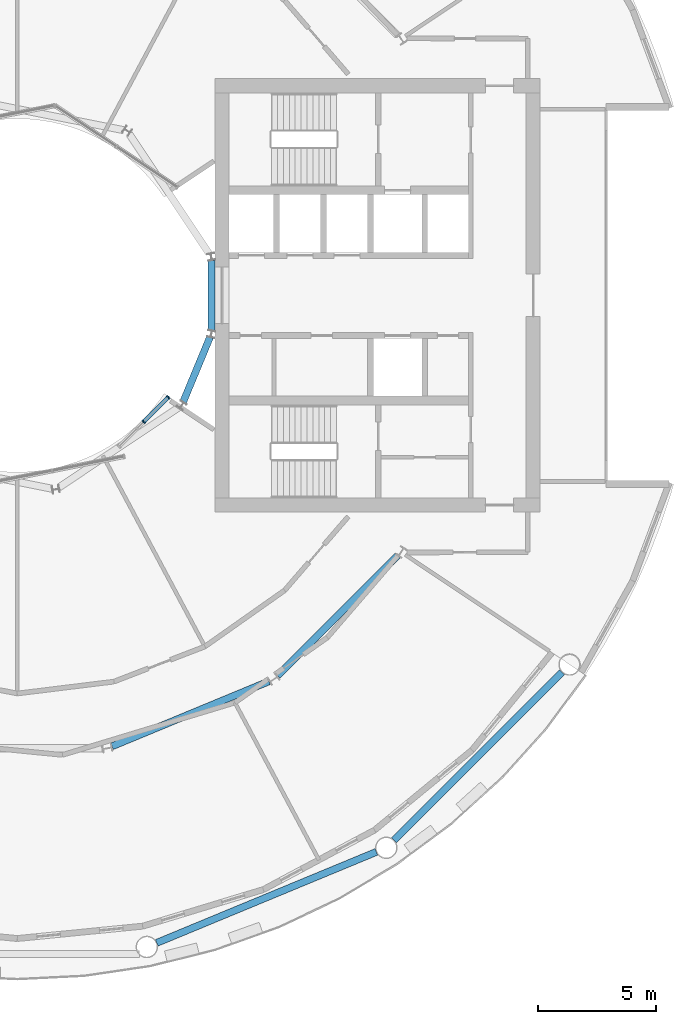
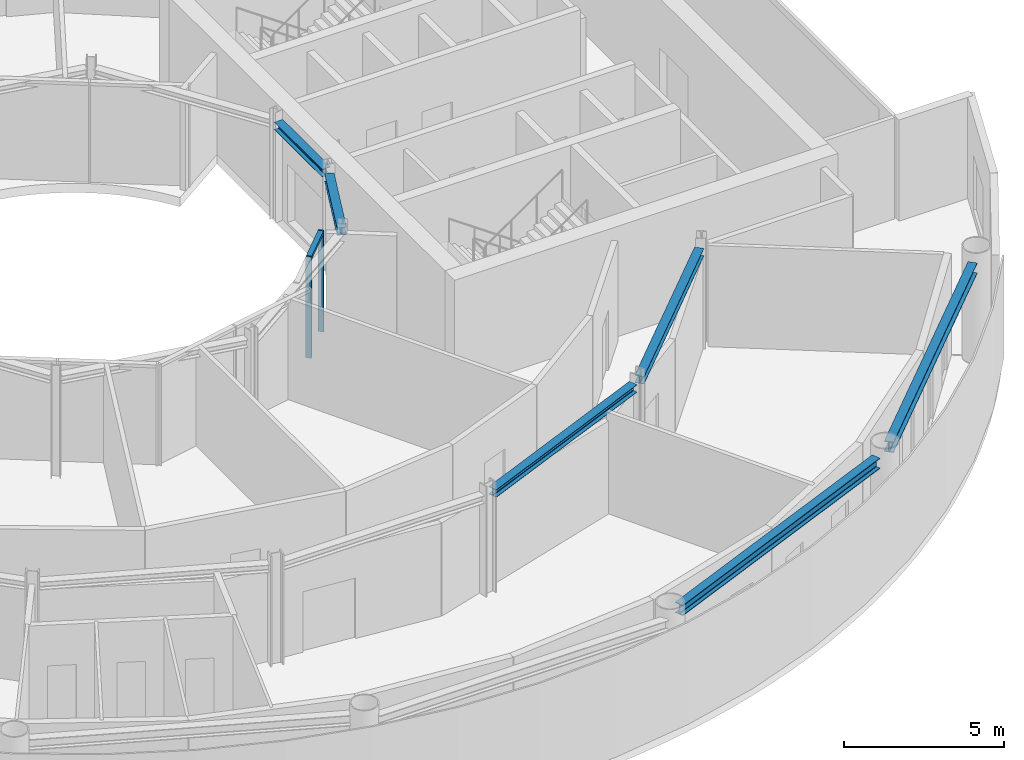
# One storey, part 7 of 21: 6 beams, 3 members, 1 element without a shape of its own.
"""IFC4 building model written with IfcOpenShell, lengths in metres."""

from ifc_helpers import new_model, si_unit, direction, frame, origin, origin_2d, place, context, subcontext, project, spatial, rectangle, i_section, extrude, material, layer, layer_set, material_profile, profile_set, type_object, element, aggregate, save


model = new_model("IFC4")

# Units and contexts
model_context = context("Model", 3, precision=1e-05, world=origin(), true_north=direction((0.0, 1.0)))
body_context = subcontext(model_context, "Body", "Model", "MODEL_VIEW")
ifc_project = project(units=[si_unit("LENGTHUNIT", "METRE"), si_unit("AREAUNIT", "SQUARE_METRE"), si_unit("VOLUMEUNIT", "CUBIC_METRE"), si_unit("PLANEANGLEUNIT", "RADIAN"), si_unit("MASSUNIT", "GRAM", prefix="KILO")], contexts=[model_context])

# Site, building, storey
site_placement = place(None, origin())
site = spatial("IfcSite", under=ifc_project, at=site_placement, CompositionType="ELEMENT")
building_placement = place(site_placement, origin())
building = spatial("IfcBuilding", under=site, at=building_placement, Name="Maasbend Ring Residences", CompositionType="ELEMENT")
storey_placement = place(building_placement, frame((0.0, 0.0, 107.449951171875)))
storey = spatial("IfcBuildingStorey", under=building, at=storey_placement, Name="L30", CompositionType="ELEMENT", Elevation=107.449951171875)

# Curtain wall, members
ifc_material_1 = material(Name="Aluminium and clear glass", Category="aluminium")
ifc_layer = layer(ifc_material_1, 0.179931640625)
ifc_layer_set = layer_set([ifc_layer], Name="CW-W")
curtain_wall_type = type_object("IfcCurtainWallType", Name="CW-W", PredefinedType="NOTDEFINED", material=ifc_layer_set)
curtain_wall_placement = place(storey_placement, origin())
curtain_wall = element("IfcCurtainWall", 1, at=curtain_wall_placement, inside=storey, type_object=curtain_wall_type, Name="Well curtain wall S3", PredefinedType="NOTDEFINED")
ifc_material_2 = material(Name="Aluminium 6063-T6", Category="aluminium")
ifc_material_profile_1 = material_profile(ifc_material_2, rectangle(XDim=0.179931640625, YDim=0.06005859375, at=origin_2d()), Name="AL 180x60")
ifc_profile_set_1 = profile_set([ifc_material_profile_1], Name="Aluminium 6063-T6")
member_type_1 = type_object("IfcMemberType", Name="CWM-W", PredefinedType="MULLION", material=ifc_profile_set_1)
member_1_placement = place(storey_placement, frame((5.366943359375, -5.366943359375, 0.0), z_axis=(0.0, 0.0, 1.0), x_axis=(-0.707106781187, 0.707106781187, 0.0)))
member_1 = element("IfcMember", 2, at=member_1_placement, type_object=member_type_1, Name="Mullion well face", PredefinedType="MULLION", context=body_context, shape_type="SweptSolid", body=[
    extrude(rectangle(XDim=0.179931640625, YDim=0.06005859375, at=origin_2d()), origin(), (0.0, 0.0, 1.0), 3.85009765625),
])
member_2_placement = place(storey_placement, frame((6.413330078125, -4.320556640625, 0.0), z_axis=(0.0, 0.0, 1.0), x_axis=(-0.707106781187, 0.707106781187, 0.0)))
member_2 = element("IfcMember", 3, at=member_2_placement, type_object=member_type_1, Name="Mullion well face", PredefinedType="MULLION", context=body_context, shape_type="SweptSolid", body=[
    extrude(rectangle(XDim=0.179931640625, YDim=0.06005859375, at=origin_2d()), origin(), (0.0, 0.0, 1.0), 3.85009765625),
])
ifc_material_3 = material(Name="Aluminium 6063-T6", Category="aluminium")
ifc_material_profile_2 = material_profile(ifc_material_3, rectangle(XDim=0.179931640625, YDim=0.1201171875, at=origin_2d()), Name="AL 180x120")
ifc_profile_set_2 = profile_set([ifc_material_profile_2], Name="Aluminium 6063-T6")
member_type_2 = type_object("IfcMemberType", Name="CWT-W", PredefinedType="USERDEFINED", material=ifc_profile_set_2)
member_3_placement = place(storey_placement, frame((5.38818359375, -5.345703125, 3.7900390625), z_axis=(0.707106781187, 0.707106781187, 0.0), x_axis=(-0.707106781187, 0.707106781187, 0.0)))
member_3 = element("IfcMember", 4, at=member_3_placement, type_object=member_type_2, Name="Transom well face", ObjectType="TRANSOM", PredefinedType="USERDEFINED", context=body_context, shape_type="SweptSolid", body=[
    extrude(rectangle(XDim=0.179931640625, YDim=0.1201171875, at=origin_2d()), origin(), (0.0, 0.0, 1.0), 1.419677734375),
])
aggregate(curtain_wall, [member_1, member_2, member_3])

# Beams
ifc_material_4 = material(Name="Steel S355J2", Category="steel")
ifc_material_profile_3 = material_profile(ifc_material_4, i_section(OverallWidth=0.300048828125, OverallDepth=0.2900390625, WebThickness=0.008544921875, FlangeThickness=0.013916015625, FilletRadius=0.027099609375, at=origin_2d()), Name="HEA 300")
ifc_profile_set_3 = profile_set([ifc_material_profile_3], Name="Steel S355J2")
beam_type_1 = type_object("IfcBeamType", Name="Corridor ring beam HEA 300", PredefinedType="BEAM", material=ifc_profile_set_3)
for number, where, z_axis, x_axis, name in (
    (5, (4.02734375, -19.13916015625, 3.705078125), (0.923877693919, 0.382687871089, 0.0), (-0.382687871089, 0.923877693919, 0.0), "Corridor ring beam"),
    (6, (11.044921875, -16.14111328125, 3.705078125), (0.707106781187, 0.707106781187, 0.0), (-0.707106781187, 0.707106781187, 0.0), "Corridor ring beam"),
):
    element("IfcBeam", number, at=place(storey_placement, frame(where, z_axis=z_axis, x_axis=x_axis)), inside=storey, type_object=beam_type_1, Name=name, PredefinedType="BEAM", context=body_context, shape_type="SweptSolid", body=[
        extrude(i_section(OverallWidth=0.300048828125, OverallDepth=0.2900390625, WebThickness=0.008544921875, FlangeThickness=0.013916015625, FilletRadius=0.027099609375, at=origin_2d()), origin(), (0.0, 0.0, 1.0), 7.20703125),
    ])
ifc_material_5 = material(Name="Steel S355J2", Category="steel")
ifc_material_profile_4 = material_profile(ifc_material_5, i_section(OverallWidth=0.300048828125, OverallDepth=0.39990234375, WebThickness=0.013427734375, FlangeThickness=0.02392578125, FilletRadius=0.027099609375, at=origin_2d()), Name="HEB 400")
ifc_profile_set_4 = profile_set([ifc_material_profile_4], Name="Steel S355J2")
beam_type_2 = type_object("IfcBeamType", Name="Spandrel ring beam HEB 400", PredefinedType="SPANDREL", material=ifc_profile_set_4)
for number, where, z_axis, x_axis, name in (
    (7, (5.923583984375, -27.483154296875, 3.650146484375), (0.92388529709, 0.382669515144, 0.0), (-0.382669515144, 0.92388529709, 0.0), "Spandrel ring beam"),
    (8, (15.990234375, -23.124267578125, 3.650146484375), (0.707106781187, 0.707106781187, 0.0), (-0.707106781187, 0.707106781187, 0.0), "Spandrel ring beam"),
):
    element("IfcBeam", number, at=place(storey_placement, frame(where, z_axis=z_axis, x_axis=x_axis)), inside=storey, type_object=beam_type_2, Name=name, PredefinedType="SPANDREL", context=body_context, shape_type="SweptSolid", body=[
        extrude(i_section(OverallWidth=0.300048828125, OverallDepth=0.39990234375, WebThickness=0.013427734375, FlangeThickness=0.02392578125, FilletRadius=0.027099609375, at=origin_2d()), origin(), (0.0, 0.0, 1.0), 10.089111328125),
    ])
ifc_material_6 = material(Name="Steel S355J2", Category="steel")
ifc_material_profile_5 = material_profile(ifc_material_6, i_section(OverallWidth=0.300048828125, OverallDepth=0.2900390625, WebThickness=0.008544921875, FlangeThickness=0.013916015625, FilletRadius=0.027099609375, at=origin_2d()), Name="HEA 300")
ifc_profile_set_5 = profile_set([ifc_material_profile_5], Name="Steel S355J2")
beam_type_3 = type_object("IfcBeamType", Name="Well edge beam HEA 300", PredefinedType="BEAM", material=ifc_profile_set_5)
for number, where, z_axis, x_axis, name in (
    (9, (7.042724609375, -4.525390625, 3.705078125), (0.382765370874, 0.923845588212, 0.0), (-0.923845588212, 0.382765370874, 0.0), "Well edge beam"),
    (10, (8.238525390625, -1.48583984375, 3.705078125), (0.0, 1.0, 0.0), (-1.0, 0.0, 0.0), "Well edge beam"),
):
    element("IfcBeam", number, at=place(storey_placement, frame(where, z_axis=z_axis, x_axis=x_axis)), inside=storey, type_object=beam_type_3, Name=name, PredefinedType="BEAM", context=body_context, shape_type="SweptSolid", body=[
        extrude(i_section(OverallWidth=0.300048828125, OverallDepth=0.2900390625, WebThickness=0.008544921875, FlangeThickness=0.013916015625, FilletRadius=0.027099609375, at=origin_2d()), origin(), (0.0, 0.0, 1.0), 2.9716796875),
    ])

save(model, "model.ifc")
